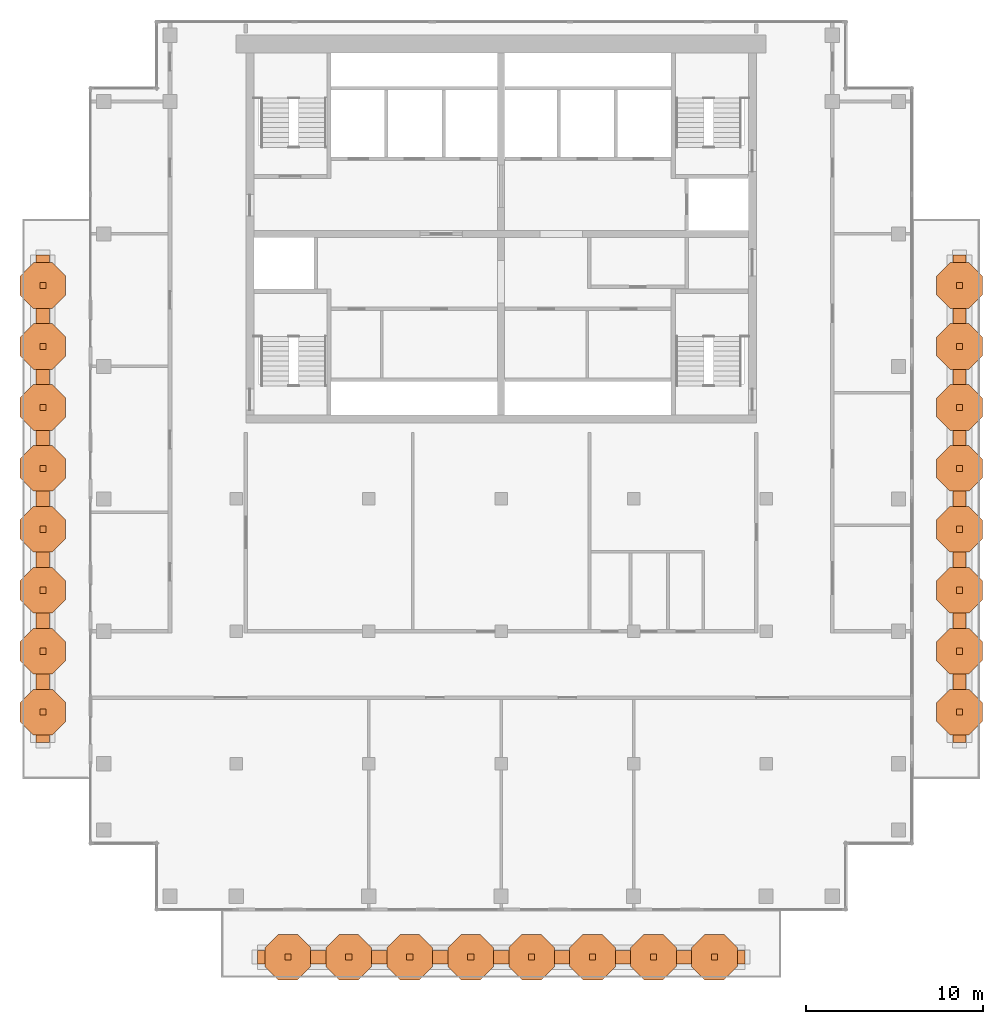
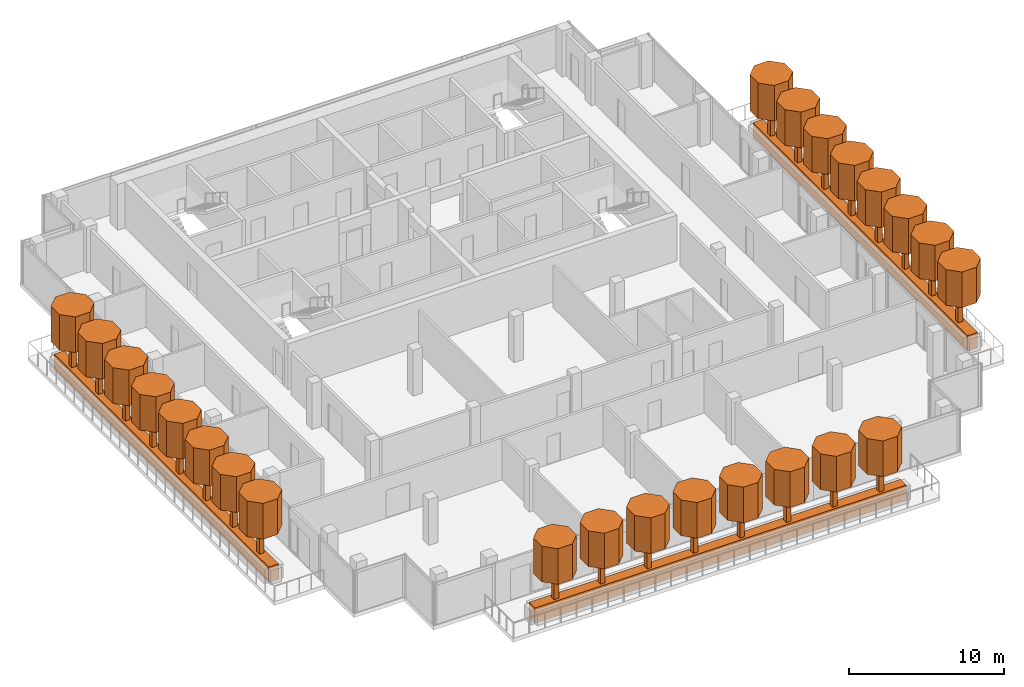
# One storey, part 12 of 12: 51 geographic elements.
"""IFC4 building model written with IfcOpenShell, lengths in metres."""

from ifc_helpers import new_model, si_unit, direction, frame, origin, origin_2d, place, context, subcontext, project, spatial, polyline, rectangle, outline, extrude, material, material_profile, profile_set, type_object, element, save


model = new_model("IFC4")

# Units and contexts
model_context = context("Model", 3, precision=1e-05, world=origin(), true_north=direction((0.0, 1.0)))
body_context = subcontext(model_context, "Body", "Model", "MODEL_VIEW")
ifc_project = project(units=[si_unit("LENGTHUNIT", "METRE"), si_unit("AREAUNIT", "SQUARE_METRE"), si_unit("VOLUMEUNIT", "CUBIC_METRE"), si_unit("PLANEANGLEUNIT", "RADIAN"), si_unit("MASSUNIT", "GRAM", prefix="KILO")], contexts=[model_context])

# Site, building, storey
site_placement = place(None, origin())
site = spatial("IfcSite", under=ifc_project, at=site_placement, CompositionType="ELEMENT")
building_placement = place(site_placement, origin())
building = spatial("IfcBuilding", under=site, at=building_placement, Name="Pilkhan Gate Tower", CompositionType="ELEMENT")
storey_placement = place(building_placement, frame((0.0, 0.0, 258.5)))
storey = spatial("IfcBuildingStorey", under=building, at=storey_placement, Name="L67", CompositionType="ELEMENT", Elevation=258.5)

# Geographic elements
ifc_material_1 = material(Name="Foliage")
ifc_material_profile_1 = material_profile(ifc_material_1, rectangle(XDim=0.75, YDim=1.199951171875, at=origin_2d()), Name="Bed 750x1200")
ifc_profile_set_1 = profile_set([ifc_material_profile_1], Name="Foliage")
geographic_element_type_1 = type_object("IfcGeographicElementType", Name="Planting bed PB1", PredefinedType="USERDEFINED", material=ifc_profile_set_1)
for number, where, z_axis, x_axis, name in (
    (1, (100.949951171875, 81.300048828125, 0.60009765625), (0.0, -1.0, 0.0), (1.0, 0.0, 0.0), "Terrace L67 2 planting bed"),
    (2, (88.800048828125, 41.550048828125, 0.60009765625), (-1.0, 0.0, 0.0), (0.0, -1.0, 0.0), "Terrace L67 0 planting bed"),
    (3, (49.050048828125, 53.699951171875, 0.60009765625), (0.0, 1.0, 0.0), (-1.0, 0.0, 0.0), "Terrace L67 0 planting bed"),
):
    element("IfcGeographicElement", number, at=place(storey_placement, frame(where, z_axis=z_axis, x_axis=x_axis)), inside=storey, type_object=geographic_element_type_1, Name=name, ObjectType="PLANTING BED", PredefinedType="USERDEFINED", context=body_context, shape_type="SweptSolid", body=[
        extrude(rectangle(XDim=0.75, YDim=1.199951171875, at=origin_2d()), origin(), (0.0, 0.0, 1.0), 27.60009765625),
    ])
ifc_material_profile_2 = material_profile(ifc_material_1, outline(polyline([(1.29345703125, 0.535888671875), (0.535888671875, 1.29345703125), (-0.535888671875, 1.29345703125), (-1.29345703125, 0.535888671875), (-1.29345703125, -0.535888671875), (-0.535888671875, -1.29345703125), (0.535888671875, -1.29345703125), (1.29345703125, -0.535888671875), (1.29345703125, 0.535888671875)])), Name="Canopy D2.8")
ifc_profile_set_2 = profile_set([ifc_material_profile_2], Name="Foliage")
geographic_element_type_2 = type_object("IfcGeographicElementType", Name="Tree canopy TC14", PredefinedType="USERDEFINED", material=ifc_profile_set_2)
for number, where, z_axis, x_axis, name in (
    (4, (100.949951171875, 79.574951171875, 3.199951171875), (0.0, 0.0, 1.0), (1.0, 0.0, 0.0), "Tree L67 terrace 2.1 canopy"),
    (5, (100.949951171875, 76.125, 3.199951171875), (0.0, 0.0, 1.0), (1.0, 0.0, 0.0), "Tree L67 terrace 2.2 canopy"),
    (6, (100.949951171875, 72.675048828125, 3.199951171875), (0.0, 0.0, 1.0), (1.0, 0.0, 0.0), "Tree L67 terrace 2.3 canopy"),
    (7, (100.949951171875, 69.22509765625, 3.199951171875), (0.0, 0.0, 1.0), (1.0, 0.0, 0.0), "Tree L67 terrace 2.4 canopy"),
    (8, (100.949951171875, 65.77490234375, 3.199951171875), (0.0, 0.0, 1.0), (1.0, 0.0, 0.0), "Tree L67 terrace 2.5 canopy"),
    (9, (100.949951171875, 62.324951171875, 3.199951171875), (0.0, 0.0, 1.0), (1.0, 0.0, 0.0), "Tree L67 terrace 2.6 canopy"),
    (10, (100.949951171875, 58.875, 3.199951171875), (0.0, 0.0, 1.0), (1.0, 0.0, 0.0), "Tree L67 terrace 2.7 canopy"),
    (11, (100.949951171875, 55.425048828125, 3.199951171875), (0.0, 0.0, 1.0), (1.0, 0.0, 0.0), "Tree L67 terrace 2.8 canopy"),
    (12, (87.074951171875, 41.550048828125, 3.199951171875), (0.0, 0.0, 1.0), (1.0, 0.0, 0.0), "Tree L67 terrace 0.1 canopy"),
    (13, (83.625, 41.550048828125, 3.199951171875), (0.0, 0.0, 1.0), (1.0, 0.0, 0.0), "Tree L67 terrace 0.2 canopy"),
    (14, (80.175048828125, 41.550048828125, 3.199951171875), (0.0, 0.0, 1.0), (1.0, 0.0, 0.0), "Tree L67 terrace 0.3 canopy"),
    (15, (76.72509765625, 41.550048828125, 3.199951171875), (0.0, 0.0, 1.0), (1.0, 0.0, 0.0), "Tree L67 terrace 0.4 canopy"),
    (16, (73.27490234375, 41.550048828125, 3.199951171875), (0.0, 0.0, 1.0), (1.0, 0.0, 0.0), "Tree L67 terrace 0.5 canopy"),
    (17, (69.824951171875, 41.550048828125, 3.199951171875), (0.0, 0.0, 1.0), (1.0, 0.0, 0.0), "Tree L67 terrace 0.6 canopy"),
    (18, (66.375, 41.550048828125, 3.199951171875), (0.0, 0.0, 1.0), (1.0, 0.0, 0.0), "Tree L67 terrace 0.7 canopy"),
    (19, (62.925048828125, 41.550048828125, 3.199951171875), (0.0, 0.0, 1.0), (1.0, 0.0, 0.0), "Tree L67 terrace 0.8 canopy"),
    (20, (49.050048828125, 55.425048828125, 3.199951171875), (0.0, 0.0, 1.0), (1.0, 0.0, 0.0), "Tree L67 terrace 0.1 canopy"),
    (21, (49.050048828125, 58.875, 3.199951171875), (0.0, 0.0, 1.0), (1.0, 0.0, 0.0), "Tree L67 terrace 0.2 canopy"),
    (22, (49.050048828125, 62.324951171875, 3.199951171875), (0.0, 0.0, 1.0), (1.0, 0.0, 0.0), "Tree L67 terrace 0.3 canopy"),
    (23, (49.050048828125, 65.77490234375, 3.199951171875), (0.0, 0.0, 1.0), (1.0, 0.0, 0.0), "Tree L67 terrace 0.4 canopy"),
    (24, (49.050048828125, 69.22509765625, 3.199951171875), (0.0, 0.0, 1.0), (1.0, 0.0, 0.0), "Tree L67 terrace 0.5 canopy"),
    (25, (49.050048828125, 72.675048828125, 3.199951171875), (0.0, 0.0, 1.0), (1.0, 0.0, 0.0), "Tree L67 terrace 0.6 canopy"),
    (26, (49.050048828125, 76.125, 3.199951171875), (0.0, 0.0, 1.0), (1.0, 0.0, 0.0), "Tree L67 terrace 0.7 canopy"),
    (27, (49.050048828125, 79.574951171875, 3.199951171875), (0.0, 0.0, 1.0), (1.0, 0.0, 0.0), "Tree L67 terrace 0.8 canopy"),
):
    element("IfcGeographicElement", number, at=place(storey_placement, frame(where, z_axis=z_axis, x_axis=x_axis)), inside=storey, type_object=geographic_element_type_2, Name=name, ObjectType="TREE", PredefinedType="USERDEFINED", context=body_context, shape_type="SweptSolid", body=[
        extrude(outline(polyline([(1.29345703125, 0.535888671875), (0.535888671875, 1.29345703125), (-0.535888671875, 1.29345703125), (-1.29345703125, 0.535888671875), (-1.29345703125, -0.535888671875), (-0.535888671875, -1.29345703125), (0.535888671875, -1.29345703125), (1.29345703125, -0.535888671875), (1.29345703125, 0.535888671875)])), origin(), (0.0, 0.0, 1.0), 2.800048828125),
    ])
ifc_material_2 = material(Name="Timber trunk", Category="wood")
geographic_element_type_3 = type_object("IfcGeographicElementType", Name="Tree trunk TT1", PredefinedType="USERDEFINED", material=ifc_material_2)
for number, where, z_axis, x_axis, name in (
    (28, (100.949951171875, 79.574951171875, 1.199951171875), (0.0, 0.0, 1.0), (1.0, 0.0, 0.0), "Tree L67 terrace 2.1 trunk"),
    (29, (100.949951171875, 76.125, 1.199951171875), (0.0, 0.0, 1.0), (1.0, 0.0, 0.0), "Tree L67 terrace 2.2 trunk"),
    (30, (100.949951171875, 72.675048828125, 1.199951171875), (0.0, 0.0, 1.0), (1.0, 0.0, 0.0), "Tree L67 terrace 2.3 trunk"),
    (31, (100.949951171875, 69.22509765625, 1.199951171875), (0.0, 0.0, 1.0), (1.0, 0.0, 0.0), "Tree L67 terrace 2.4 trunk"),
    (32, (100.949951171875, 65.77490234375, 1.199951171875), (0.0, 0.0, 1.0), (1.0, 0.0, 0.0), "Tree L67 terrace 2.5 trunk"),
    (33, (100.949951171875, 62.324951171875, 1.199951171875), (0.0, 0.0, 1.0), (1.0, 0.0, 0.0), "Tree L67 terrace 2.6 trunk"),
    (34, (100.949951171875, 58.875, 1.199951171875), (0.0, 0.0, 1.0), (1.0, 0.0, 0.0), "Tree L67 terrace 2.7 trunk"),
    (35, (100.949951171875, 55.425048828125, 1.199951171875), (0.0, 0.0, 1.0), (1.0, 0.0, 0.0), "Tree L67 terrace 2.8 trunk"),
    (36, (87.074951171875, 41.550048828125, 1.199951171875), (0.0, 0.0, 1.0), (1.0, 0.0, 0.0), "Tree L67 terrace 0.1 trunk"),
    (37, (83.625, 41.550048828125, 1.199951171875), (0.0, 0.0, 1.0), (1.0, 0.0, 0.0), "Tree L67 terrace 0.2 trunk"),
    (38, (80.175048828125, 41.550048828125, 1.199951171875), (0.0, 0.0, 1.0), (1.0, 0.0, 0.0), "Tree L67 terrace 0.3 trunk"),
    (39, (76.72509765625, 41.550048828125, 1.199951171875), (0.0, 0.0, 1.0), (1.0, 0.0, 0.0), "Tree L67 terrace 0.4 trunk"),
    (40, (73.27490234375, 41.550048828125, 1.199951171875), (0.0, 0.0, 1.0), (1.0, 0.0, 0.0), "Tree L67 terrace 0.5 trunk"),
    (41, (69.824951171875, 41.550048828125, 1.199951171875), (0.0, 0.0, 1.0), (1.0, 0.0, 0.0), "Tree L67 terrace 0.6 trunk"),
    (42, (66.375, 41.550048828125, 1.199951171875), (0.0, 0.0, 1.0), (1.0, 0.0, 0.0), "Tree L67 terrace 0.7 trunk"),
    (43, (62.925048828125, 41.550048828125, 1.199951171875), (0.0, 0.0, 1.0), (1.0, 0.0, 0.0), "Tree L67 terrace 0.8 trunk"),
    (44, (49.050048828125, 55.425048828125, 1.199951171875), (0.0, 0.0, 1.0), (1.0, 0.0, 0.0), "Tree L67 terrace 0.1 trunk"),
    (45, (49.050048828125, 58.875, 1.199951171875), (0.0, 0.0, 1.0), (1.0, 0.0, 0.0), "Tree L67 terrace 0.2 trunk"),
    (46, (49.050048828125, 62.324951171875, 1.199951171875), (0.0, 0.0, 1.0), (1.0, 0.0, 0.0), "Tree L67 terrace 0.3 trunk"),
    (47, (49.050048828125, 65.77490234375, 1.199951171875), (0.0, 0.0, 1.0), (1.0, 0.0, 0.0), "Tree L67 terrace 0.4 trunk"),
    (48, (49.050048828125, 69.22509765625, 1.199951171875), (0.0, 0.0, 1.0), (1.0, 0.0, 0.0), "Tree L67 terrace 0.5 trunk"),
    (49, (49.050048828125, 72.675048828125, 1.199951171875), (0.0, 0.0, 1.0), (1.0, 0.0, 0.0), "Tree L67 terrace 0.6 trunk"),
    (50, (49.050048828125, 76.125, 1.199951171875), (0.0, 0.0, 1.0), (1.0, 0.0, 0.0), "Tree L67 terrace 0.7 trunk"),
    (51, (49.050048828125, 79.574951171875, 1.199951171875), (0.0, 0.0, 1.0), (1.0, 0.0, 0.0), "Tree L67 terrace 0.8 trunk"),
):
    element("IfcGeographicElement", number, at=place(storey_placement, frame(where, z_axis=z_axis, x_axis=x_axis)), inside=storey, type_object=geographic_element_type_3, Name=name, ObjectType="TREE", PredefinedType="USERDEFINED", context=body_context, shape_type="SweptSolid", body=[
        extrude(rectangle(XDim=0.35009765625, YDim=0.35009765625, at=origin_2d()), origin(), (0.0, 0.0, 1.0), 2.0),
    ])

save(model, "model.ifc")
